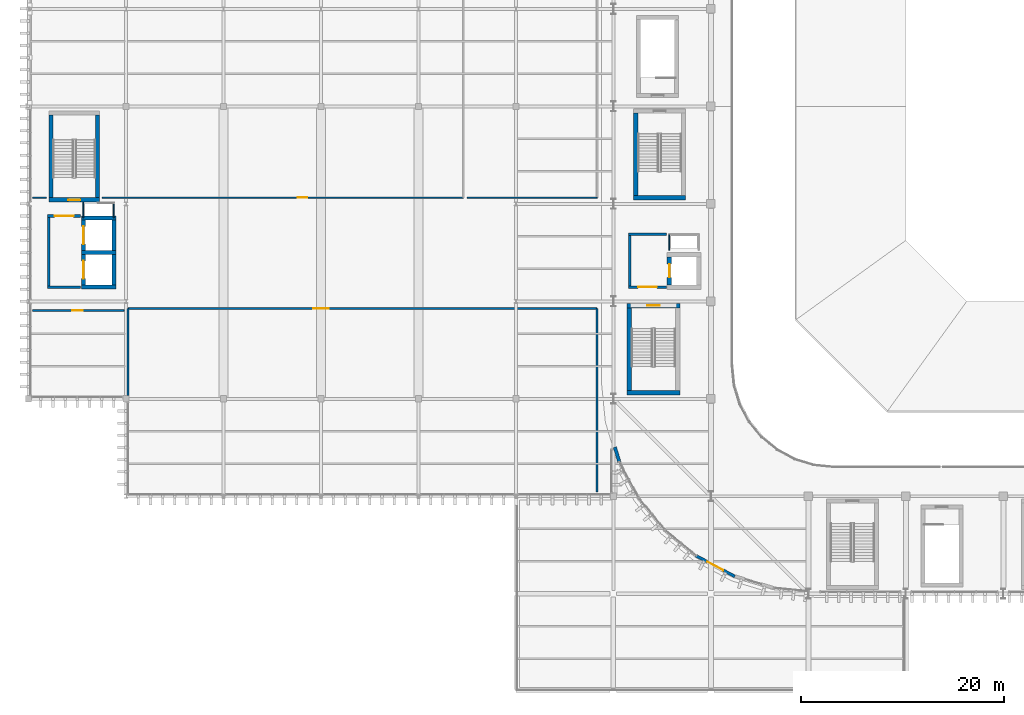
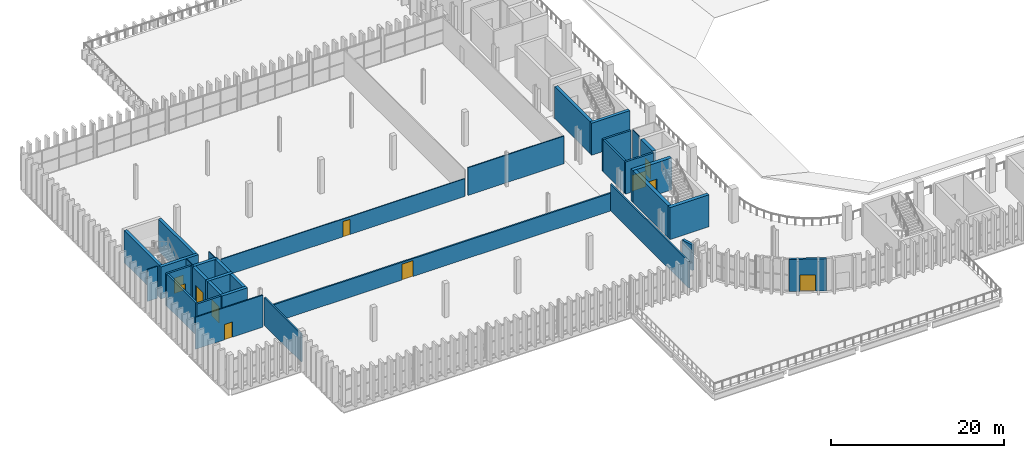
# One storey, part 59 of 99: 34 walls, 11 doors, 11 openings.
"""IFC4 building model written with IfcOpenShell, lengths in metres."""

from ifc_helpers import new_model, si_unit, direction, frame, frame_2d, origin, place, context, subcontext, project, spatial, rectangle, extrude, material, layer, layer_set, type_object, element, fill, save


model = new_model("IFC4")

# Units and contexts
model_context = context("Model", 3, precision=1e-05, world=origin(), true_north=direction((0.0, 1.0)))
body_context = subcontext(model_context, "Body", "Model", "MODEL_VIEW")
ifc_project = project(units=[si_unit("LENGTHUNIT", "METRE"), si_unit("AREAUNIT", "SQUARE_METRE"), si_unit("VOLUMEUNIT", "CUBIC_METRE"), si_unit("PLANEANGLEUNIT", "RADIAN"), si_unit("MASSUNIT", "GRAM", prefix="KILO")], contexts=[model_context])

# Site, building, storey
site_placement = place(None, origin())
site = spatial("IfcSite", under=ifc_project, at=site_placement, CompositionType="ELEMENT")
building_placement = place(site_placement, origin())
building = spatial("IfcBuilding", under=site, at=building_placement, Name="Caelomonte Colonnade Arena", CompositionType="ELEMENT")
storey_placement = place(building_placement, frame((0.0, 0.0, 4.800048828125)))
storey = spatial("IfcBuildingStorey", under=building, at=storey_placement, Name="L01", CompositionType="ELEMENT", Elevation=4.800048828125)

# Wall, opening, door
ifc_material_1 = material(Name="Precast concrete C40/50", Category="concrete")
ifc_layer_1 = layer(ifc_material_1, 0.2900390625)
ifc_layer_set_1 = layer_set([ifc_layer_1], Name="Precast concrete C40/50")
wall_type_1 = type_object("IfcWallType", Name="ENV-WL-EXT29", PredefinedType="SOLIDWALL", material=ifc_layer_set_1)
wall_1_placement = place(storey_placement, frame((65.7119140625, 22.954345703125, 0.0), z_axis=(0.0, 0.0, 1.0), x_axis=(0.881924438709, -0.471390797968, 0.0)))
wall_1 = element("IfcWall", 1, at=wall_1_placement, inside=storey, type_object=wall_type_1, Name="L01 exterior wall EW-L01-0183", PredefinedType="SOLIDWALL", context=body_context, shape_type="SweptSolid", body=[
    extrude(rectangle(XDim=4.356689453125, YDim=0.2900390625, at=frame_2d((2.17822265625, 0.0))), origin(), (0.0, 0.0, 1.0), 4.52001953125),
])
opening_1_placement = place(wall_1_placement, frame((3.078369140625, 0.0, 0.0), z_axis=(0.0, 0.0, 1.0), x_axis=(-1.0, 0.0, 0.0)))
opening_1 = element("IfcOpeningElement", 2, at=opening_1_placement, cuts=wall_1, Name="Opening DT-L01-01", PredefinedType="OPENING", context=body_context, shape_type="SweptSolid", body=[
    extrude(rectangle(XDim=1.800048828125, YDim=2.300048828125, at=frame_2d((0.89990234375, 1.14990234375))), frame((0.0, 0.155029296875, 0.0), z_axis=(0.0, -1.0, 0.0), x_axis=(1.0, 0.0, 0.0)), (0.0, 0.0, 1.0), 0.31005859375),
])
ifc_material_2 = material(Name="Bronze anodised aluminium glazed terrace door", Category="aluminium")
door_type_1 = type_object("IfcDoorType", Name="ENV-DR-TR1", OperationType="DOUBLE_DOOR_SINGLE_SWING", PredefinedType="DOOR", material=ifc_material_2)
door_1_placement = place(opening_1_placement, origin())
door_1 = element("IfcDoor", 3, at=door_1_placement, inside=storey, type_object=door_type_1, Name="L01 South Colonnade Terrace Roof door DT-L01-01", OperationType="DOUBLE_DOOR_SINGLE_SWING", OverallHeight=2.300048828125, OverallWidth=1.800048828125, PredefinedType="DOOR", context=body_context, shape_type="SweptSolid", body=[
    extrude(rectangle(XDim=1.800048828125, YDim=2.300048828125, at=frame_2d((0.89990234375, 1.14990234375))), frame((0.0, 0.02490234375, 0.0), z_axis=(0.0, -1.0, 0.0), x_axis=(1.0, 0.0, 0.0)), (0.0, 0.0, 1.0), 0.050048828125),
])
fill(opening_1, door_1)

# Wall
ifc_layer_2 = layer(ifc_material_1, 0.330078125)
ifc_layer_set_2 = layer_set([ifc_layer_2], Name="Precast concrete C40/50")
wall_type_2 = type_object("IfcWallType", Name="ENV-WL-EXT33", PredefinedType="SOLIDWALL", material=ifc_layer_set_2)
wall_2_placement = place(storey_placement, frame((57.73779296875, 33.642578125, 0.0), z_axis=(0.0, 0.0, 1.0), x_axis=(0.290377527428, -0.956912165021, 0.0)))
element("IfcWall", 4, at=wall_2_placement, inside=storey, type_object=wall_type_2, Name="L01 exterior wall EW-L01-0227", PredefinedType="SOLIDWALL", context=body_context, shape_type="SweptSolid", body=[
    extrude(rectangle(XDim=1.61083984375, YDim=0.330078125, at=frame_2d((0.805419921875, 0.0))), origin(), (0.0, 0.0, 1.0), 3.593017578125),
])

# Wall, opening, door
ifc_material_3 = material(Name="Concrete C40/50", Category="concrete")
ifc_layer_3 = layer(ifc_material_3, 0.260009765625)
ifc_layer_set_3 = layer_set([ifc_layer_3], Name="Concrete C40/50")
wall_type_3 = type_object("IfcWallType", Name="INT-WL-FW26", PredefinedType="SOLIDWALL", material=ifc_layer_set_3)
wall_3_placement = place(storey_placement, frame((59.070068359375, 49.39990234375, 0.0), z_axis=(0.0, 0.0, 1.0), x_axis=(1.0, 0.0, 0.0)))
wall_3 = element("IfcWall", 5, at=wall_3_placement, inside=storey, type_object=wall_type_3, Name="FW-C1-LB L01 south enclosure wall", PredefinedType="SOLIDWALL", context=body_context, shape_type="SweptSolid", body=[
    extrude(rectangle(XDim=3.760009765625, YDim=0.260009765625, at=frame_2d((1.8798828125, 0.0))), origin(), (0.0, 0.0, 1.0), 4.52001953125),
])
opening_2_placement = place(wall_3_placement, frame((2.80517578125, 0.0, 0.0), z_axis=(0.0, 0.0, 1.0), x_axis=(-1.0, 0.0, 0.0)))
opening_2 = element("IfcOpeningElement", 6, at=opening_2_placement, cuts=wall_3, Name="Opening FD-2", PredefinedType="OPENING", context=body_context, shape_type="SweptSolid", body=[
    extrude(rectangle(XDim=1.85009765625, YDim=2.25, at=frame_2d((0.925048828125, 1.125))), frame((0.0, 0.139892578125, 0.0), z_axis=(0.0, -1.0, 0.0), x_axis=(1.0, 0.0, 0.0)), (0.0, 0.0, 1.0), 0.280029296875),
])
ifc_material_4 = material(Name="Fire-rated double steel door", Category="steel")
door_type_2 = type_object("IfcDoorType", Name="INT-DR-FD90B", OperationType="DOUBLE_DOOR_SINGLE_SWING", PredefinedType="DOOR", material=ifc_material_4)
door_2_placement = place(opening_2_placement, origin())
door_2 = element("IfcDoor", 7, at=door_2_placement, inside=storey, type_object=door_type_2, Name="Core C1 L01 lobby fire door", OperationType="DOUBLE_DOOR_SINGLE_SWING", OverallHeight=2.25, OverallWidth=1.85009765625, PredefinedType="DOOR", context=body_context, shape_type="SweptSolid", body=[
    extrude(rectangle(XDim=1.85009765625, YDim=2.25, at=frame_2d((0.925048828125, 1.125))), frame((0.0, 0.02490234375, 0.0), z_axis=(0.0, -1.0, 0.0), x_axis=(1.0, 0.0, 0.0)), (0.0, 0.0, 1.0), 0.050048828125),
])
fill(opening_2, door_2)

# Walls
wall_4_placement = place(storey_placement, frame((62.830078125, 54.60009765625, 0.0), z_axis=(0.0, 0.0, 1.0), x_axis=(-1.0, 0.0, 0.0)))
element("IfcWall", 8, at=wall_4_placement, inside=storey, type_object=wall_type_3, Name="FW-C1-LB L01 north enclosure wall", PredefinedType="SOLIDWALL", context=body_context, shape_type="SweptSolid", body=[
    extrude(rectangle(XDim=3.760009765625, YDim=0.260009765625, at=frame_2d((1.8798828125, 0.0))), origin(), (0.0, 0.0, 1.0), 4.52001953125),
])
wall_5_placement = place(storey_placement, frame((59.199951171875, 54.469970703125, 0.0), z_axis=(0.0, 0.0, 1.0), x_axis=(0.0, -1.0, 0.0)))
element("IfcWall", 9, at=wall_5_placement, inside=storey, type_object=wall_type_3, Name="FW-C1-LB L01 west enclosure wall", PredefinedType="SOLIDWALL", context=body_context, shape_type="SweptSolid", body=[
    extrude(rectangle(XDim=4.93994140625, YDim=0.260009765625, at=frame_2d((2.469970703125, 0.0))), origin(), (0.0, 0.0, 1.0), 4.52001953125),
])
wall_6_placement = place(storey_placement, frame((1.8701171875, 49.39990234375, 0.0), z_axis=(0.0, 0.0, 1.0), x_axis=(1.0, 0.0, 0.0)))
element("IfcWall", 10, at=wall_6_placement, inside=storey, type_object=wall_type_3, Name="FW-C8-LB L01 south enclosure wall", PredefinedType="SOLIDWALL", context=body_context, shape_type="SweptSolid", body=[
    extrude(rectangle(XDim=3.259765625, YDim=0.260009765625, at=frame_2d((1.6298828125, 0.0))), origin(), (0.0, 0.0, 1.0), 4.52001953125),
])

# Wall, opening, door
wall_7_placement = place(storey_placement, frame((5.1298828125, 56.39990234375, 0.0), z_axis=(0.0, 0.0, 1.0), x_axis=(-1.0, 0.0, 0.0)))
wall_7 = element("IfcWall", 11, at=wall_7_placement, inside=storey, type_object=wall_type_3, Name="FW-C8-LB L01 north enclosure wall", PredefinedType="SOLIDWALL", context=body_context, shape_type="SweptSolid", body=[
    extrude(rectangle(XDim=3.259765625, YDim=0.260009765625, at=frame_2d((1.6298828125, 0.0))), origin(), (0.0, 0.0, 1.0), 4.52001953125),
])
opening_3_placement = place(wall_7_placement, frame((2.55517578125, 0.0, 0.0), z_axis=(0.0, 0.0, 1.0), x_axis=(-1.0, 0.0, 0.0)))
opening_3 = element("IfcOpeningElement", 12, at=opening_3_placement, cuts=wall_7, Name="Opening FD-2", PredefinedType="OPENING", context=body_context, shape_type="SweptSolid", body=[
    extrude(rectangle(XDim=1.85009765625, YDim=2.25, at=frame_2d((0.925048828125, 1.125))), frame((0.0, 0.139892578125, 0.0), z_axis=(0.0, -1.0, 0.0), x_axis=(1.0, 0.0, 0.0)), (0.0, 0.0, 1.0), 0.280029296875),
])
door_3_placement = place(opening_3_placement, origin())
door_3 = element("IfcDoor", 13, at=door_3_placement, inside=storey, type_object=door_type_2, Name="Core C8 L01 lobby fire door", OperationType="DOUBLE_DOOR_SINGLE_SWING", OverallHeight=2.25, OverallWidth=1.85009765625, PredefinedType="DOOR", context=body_context, shape_type="SweptSolid", body=[
    extrude(rectangle(XDim=1.85009765625, YDim=2.25, at=frame_2d((0.925048828125, 1.125))), frame((0.0, 0.02490234375, 0.0), z_axis=(0.0, -1.0, 0.0), x_axis=(1.0, 0.0, 0.0)), (0.0, 0.0, 1.0), 0.050048828125),
])
fill(opening_3, door_3)

# Walls
wall_8_placement = place(storey_placement, frame((2.0, 56.27001953125, 0.0), z_axis=(0.0, 0.0, 1.0), x_axis=(0.0, -1.0, 0.0)))
element("IfcWall", 14, at=wall_8_placement, inside=storey, type_object=wall_type_3, Name="FW-C8-LB L01 west enclosure wall", PredefinedType="SOLIDWALL", context=body_context, shape_type="SweptSolid", body=[
    extrude(rectangle(XDim=6.739990234375, YDim=0.260009765625, at=frame_2d((3.3701171875, 0.0))), origin(), (0.0, 0.0, 1.0), 4.52001953125),
])
ifc_material_5 = material(Name="Service shaft lining partition")
ifc_layer_4 = layer(ifc_material_5, 0.10009765625)
ifc_layer_set_4 = layer_set([ifc_layer_4], Name="Service shaft lining partition")
wall_type_4 = type_object("IfcWallType", Name="INT-WL-PT10", PredefinedType="PARTITIONING", material=ifc_layer_set_4)
for number, where, z_axis, x_axis, name in (
    (15, (63.10009765625, 54.550048828125, 0.0), (0.0, 0.0, 1.0), (0.0, -1.0, 0.0), "FW-C1-RS L01 west enclosure wall"),
    (16, (5.39990234375, 57.75, 0.0), (0.0, 0.0, 1.0), (0.0, -1.0, 0.0), "FW-C8-RS L01 west enclosure wall"),
    (17, (8.39990234375, 56.25, 0.0), (0.0, 0.0, 1.0), (0.0, 1.0, 0.0), "FW-C8-RS L01 east enclosure wall"),
):
    element("IfcWall", number, at=place(storey_placement, frame(where, z_axis=z_axis, x_axis=x_axis)), inside=storey, type_object=wall_type_4, Name=name, PredefinedType="PARTITIONING", context=body_context, shape_type="SweptSolid", body=[
        extrude(rectangle(XDim=1.5, YDim=0.10009765625, at=frame_2d((0.75, 0.0))), origin(), (0.0, 0.0, 1.0), 4.52001953125),
    ])
ifc_material_6 = material(Name="Office gypsum stud partition")
ifc_layer_5 = layer(ifc_material_6, 0.1201171875)
ifc_layer_set_5 = layer_set([ifc_layer_5], Name="Office gypsum stud partition")
wall_type_5 = type_object("IfcWallType", Name="INT-WL-PT12", PredefinedType="PARTITIONING", material=ifc_layer_set_5)
wall_9_placement = place(storey_placement, frame((1.75, 58.199951171875, 0.0), z_axis=(0.0, 0.0, 1.0), x_axis=(-1.0, 0.0, 0.0)))
element("IfcWall", 18, at=wall_9_placement, inside=storey, type_object=wall_type_5, Name="L01 Youth Sports Academy Studio partition 138", PredefinedType="PARTITIONING", context=body_context, shape_type="SweptSolid", body=[
    extrude(rectangle(XDim=1.35009765625, YDim=0.1201171875, at=frame_2d((0.675048828125, 0.0))), origin(), (0.0, 0.0, 1.0), 4.52001953125),
])

# Wall, opening, door
wall_10_placement = place(storey_placement, frame((42.800048828125, 58.199951171875, 0.0), z_axis=(0.0, 0.0, 1.0), x_axis=(-1.0, 0.0, 0.0)))
wall_10 = element("IfcWall", 19, at=wall_10_placement, inside=storey, type_object=wall_type_5, Name="L01 Youth Sports Academy Studio partition 140", PredefinedType="PARTITIONING", context=body_context, shape_type="SweptSolid", body=[
    extrude(rectangle(XDim=35.550048828125, YDim=0.1201171875, at=frame_2d((17.77490234375, 0.0))), origin(), (0.0, 0.0, 1.0), 2.52001953125),
])
opening_4_placement = place(wall_10_placement, frame((15.365478515625, 0.0, 0.0), z_axis=(0.0, 0.0, 1.0), x_axis=(1.0, 0.0, 0.0)))
opening_4 = element("IfcOpeningElement", 20, at=opening_4_placement, cuts=wall_10, Name="Opening D-L01-046", PredefinedType="OPENING", context=body_context, shape_type="SweptSolid", body=[
    extrude(rectangle(XDim=0.949951171875, YDim=2.14990234375, at=frame_2d((0.47509765625, 1.074951171875))), frame((0.0, 0.070068359375, 0.0), z_axis=(0.0, -1.0, 0.0), x_axis=(1.0, 0.0, 0.0)), (0.0, 0.0, 1.0), 0.14013671875),
])
ifc_material_7 = material(Name="Solid-core timber office door", Category="wood")
door_type_3 = type_object("IfcDoorType", Name="INT-DR-OFF", OperationType="NOTDEFINED", PredefinedType="DOOR", material=ifc_material_7)
door_4_placement = place(opening_4_placement, origin())
door_4 = element("IfcDoor", 21, at=door_4_placement, inside=storey, type_object=door_type_3, Name="L01 Youth Sports Academy Studio door D-L01-046", OperationType="SINGLE_SWING_RIGHT", OverallHeight=2.14990234375, OverallWidth=0.949951171875, PredefinedType="DOOR", context=body_context, shape_type="SweptSolid", body=[
    extrude(rectangle(XDim=0.949951171875, YDim=2.14990234375, at=frame_2d((0.47509765625, 1.074951171875))), frame((0.0, 0.02490234375, 0.0), z_axis=(0.0, -1.0, 0.0), x_axis=(1.0, 0.0, 0.0)), (0.0, 0.0, 1.0), 0.050048828125),
])
fill(opening_4, door_4)

# Wall
ifc_material_8 = material(Name="Suite demising stud partition")
ifc_layer_6 = layer(ifc_material_8, 0.139892578125)
ifc_layer_set_6 = layer_set([ifc_layer_6], Name="Suite demising stud partition")
wall_type_6 = type_object("IfcWallType", Name="INT-WL-PT14", PredefinedType="PARTITIONING", material=ifc_layer_set_6)
wall_11_placement = place(storey_placement, frame((56.0, 58.199951171875, 0.0), z_axis=(0.0, 0.0, 1.0), x_axis=(-1.0, 0.0, 0.0)))
element("IfcWall", 22, at=wall_11_placement, inside=storey, type_object=wall_type_6, Name="L01 Coaching Office Suite partition 142", PredefinedType="PARTITIONING", context=body_context, shape_type="SweptSolid", body=[
    extrude(rectangle(XDim=12.800048828125, YDim=0.139892578125, at=frame_2d((6.39990234375, 0.0))), origin(), (0.0, 0.0, 1.0), 3.912841796875),
])

# Wall, opening, door
ifc_material_9 = material(Name="Moisture-resistant WC partition")
ifc_layer_7 = layer(ifc_material_9, 0.159912109375)
ifc_layer_set_7 = layer_set([ifc_layer_7], Name="Moisture-resistant WC partition")
wall_type_7 = type_object("IfcWallType", Name="INT-WL-PT16", PredefinedType="PARTITIONING", material=ifc_layer_set_7)
wall_12_placement = place(storey_placement, frame((0.39990234375, 47.10009765625, 0.0), z_axis=(0.0, 0.0, 1.0), x_axis=(1.0, 0.0, 0.0)))
wall_12 = element("IfcWall", 23, at=wall_12_placement, inside=storey, type_object=wall_type_7, Name="L01 Academy Accessible WC partition 143", PredefinedType="PARTITIONING", context=body_context, shape_type="SweptSolid", body=[
    extrude(rectangle(XDim=9.0, YDim=0.159912109375, at=frame_2d((4.5, 0.0))), origin(), (0.0, 0.0, 1.0), 4.52001953125),
])
opening_5_placement = place(wall_12_placement, frame((3.889892578125, 0.0, 0.0), z_axis=(0.0, 0.0, 1.0), x_axis=(1.0, 0.0, 0.0)))
opening_5 = element("IfcOpeningElement", 24, at=opening_5_placement, cuts=wall_12, Name="Opening D-L01-048", PredefinedType="OPENING", context=body_context, shape_type="SweptSolid", body=[
    extrude(rectangle(XDim=1.02001953125, YDim=2.14990234375, at=frame_2d((0.510009765625, 1.074951171875))), frame((0.0, 0.08984375, 0.0), z_axis=(0.0, -1.0, 0.0), x_axis=(1.0, 0.0, 0.0)), (0.0, 0.0, 1.0), 0.179931640625),
])
ifc_material_10 = material(Name="Accessible WC outward-swing door")
door_type_4 = type_object("IfcDoorType", Name="INT-DR-AWC", OperationType="NOTDEFINED", PredefinedType="DOOR", material=ifc_material_10)
door_5_placement = place(opening_5_placement, origin())
door_5 = element("IfcDoor", 25, at=door_5_placement, inside=storey, type_object=door_type_4, Name="L01 Academy Accessible WC door D-L01-048", OperationType="SINGLE_SWING_RIGHT", OverallHeight=2.14990234375, OverallWidth=1.02001953125, PredefinedType="DOOR", context=body_context, shape_type="SweptSolid", body=[
    extrude(rectangle(XDim=1.02001953125, YDim=2.14990234375, at=frame_2d((0.510009765625, 1.074951171875))), frame((0.0, 0.02490234375, 0.0), z_axis=(0.0, -1.0, 0.0), x_axis=(1.0, 0.0, 0.0)), (0.0, 0.0, 1.0), 0.050048828125),
])
fill(opening_5, door_5)

# Wall
ifc_material_11 = material(Name="Fire-rated gypsum stud partition")
ifc_layer_8 = layer(ifc_material_11, 0.199951171875)
ifc_layer_set_8 = layer_set([ifc_layer_8], Name="Fire-rated gypsum stud partition")
wall_type_8 = type_object("IfcWallType", Name="INT-WL-PT20", PredefinedType="PARTITIONING", material=ifc_layer_set_8)
wall_13_placement = place(storey_placement, frame((9.800048828125, 38.735107421875, 0.0), z_axis=(0.0, 0.0, 1.0), x_axis=(0.0, 1.0, 0.0)))
element("IfcWall", 26, at=wall_13_placement, inside=storey, type_object=wall_type_8, Name="L01 Community Fitness Hall partition 135", PredefinedType="PARTITIONING", context=body_context, shape_type="SweptSolid", body=[
    extrude(rectangle(XDim=8.544921875, YDim=0.199951171875, at=frame_2d((4.2724609375, 0.0))), origin(), (0.0, 0.0, 1.0), 3.912841796875),
])

# Wall, opening, door
wall_14_placement = place(storey_placement, frame((9.800048828125, 47.280029296875, 0.0), z_axis=(0.0, 0.0, 1.0), x_axis=(1.0, 0.0, 0.0)))
wall_14 = element("IfcWall", 27, at=wall_14_placement, inside=storey, type_object=wall_type_8, Name="L01 Community Fitness Hall partition 136", PredefinedType="PARTITIONING", context=body_context, shape_type="SweptSolid", body=[
    extrude(rectangle(XDim=46.199951171875, YDim=0.199951171875, at=frame_2d((23.10009765625, 0.0))), origin(), (0.0, 0.0, 1.0), 2.52001953125),
])
opening_6_placement = place(wall_14_placement, frame((18.25, 0.0, 0.0), z_axis=(0.0, 0.0, 1.0), x_axis=(1.0, 0.0, 0.0)))
opening_6 = element("IfcOpeningElement", 28, at=opening_6_placement, cuts=wall_14, Name="Opening D-L01-045", PredefinedType="OPENING", context=body_context, shape_type="SweptSolid", body=[
    extrude(rectangle(XDim=1.5, YDim=2.25, at=frame_2d((0.75, 1.125))), frame((0.0, 0.10986328125, 0.0), z_axis=(0.0, -1.0, 0.0), x_axis=(1.0, 0.0, 0.0)), (0.0, 0.0, 1.0), 0.219970703125),
])
ifc_material_12 = material(Name="Hardwood double club lounge door", Category="wood")
door_type_5 = type_object("IfcDoorType", Name="INT-DR-SU2", OperationType="DOUBLE_DOOR_SINGLE_SWING", PredefinedType="DOOR", material=ifc_material_12)
door_6_placement = place(opening_6_placement, origin())
door_6 = element("IfcDoor", 29, at=door_6_placement, inside=storey, type_object=door_type_5, Name="L01 Community Fitness Hall door D-L01-045", OperationType="DOUBLE_DOOR_SINGLE_SWING", OverallHeight=2.25, OverallWidth=1.5, PredefinedType="DOOR", context=body_context, shape_type="SweptSolid", body=[
    extrude(rectangle(XDim=1.5, YDim=2.25, at=frame_2d((0.75, 1.125))), frame((0.0, 0.02490234375, 0.0), z_axis=(0.0, -1.0, 0.0), x_axis=(1.0, 0.0, 0.0)), (0.0, 0.0, 1.0), 0.050048828125),
])
fill(opening_6, door_6)

# Wall
wall_15_placement = place(storey_placement, frame((56.0, 47.280029296875, 0.0), z_axis=(0.0, 0.0, 1.0), x_axis=(0.0, -1.0, 0.0)))
element("IfcWall", 30, at=wall_15_placement, inside=storey, type_object=wall_type_8, Name="L01 Community Fitness Hall partition 137", PredefinedType="PARTITIONING", context=body_context, shape_type="SweptSolid", body=[
    extrude(rectangle(XDim=18.080078125, YDim=0.199951171875, at=frame_2d((9.0400390625, 0.0))), origin(), (0.0, 0.0, 1.0), 3.758056640625),
])

# Wall, opening, door
ifc_material_13 = material(Name="Concrete C50/60", Category="concrete")
ifc_layer_9 = layer(ifc_material_13, 0.39990234375)
ifc_layer_set_9 = layer_set([ifc_layer_9], Name="Concrete C50/60")
wall_type_9 = type_object("IfcWallType", Name="INT-WL-SH40", PredefinedType="SHEAR", material=ifc_layer_set_9)
wall_16_placement = place(storey_placement, frame((2.0, 58.0, 0.0), z_axis=(0.0, 0.0, 1.0), x_axis=(1.0, 0.0, 0.0)))
wall_16 = element("IfcWall", 31, at=wall_16_placement, inside=storey, type_object=wall_type_9, Name="CW-C8-ST L01 south enclosure wall", PredefinedType="SHEAR", context=body_context, shape_type="SweptSolid", body=[
    extrude(rectangle(XDim=5.0, YDim=0.39990234375, at=frame_2d((2.5, 0.0))), origin(), (0.0, 0.0, 1.0), 4.52001953125),
])
opening_7_placement = place(wall_16_placement, frame((3.099853515625, 0.0, 0.0), z_axis=(0.0, 0.0, 1.0), x_axis=(-1.0, 0.0, 0.0)))
opening_7 = element("IfcOpeningElement", 32, at=opening_7_placement, cuts=wall_16, Name="Opening FD-1", PredefinedType="OPENING", context=body_context, shape_type="SweptSolid", body=[
    extrude(rectangle(XDim=1.199951171875, YDim=2.199951171875, at=frame_2d((0.60009765625, 1.10009765625))), frame((0.0, 0.2099609375, 0.0), z_axis=(0.0, -1.0, 0.0), x_axis=(1.0, 0.0, 0.0)), (0.0, 0.0, 1.0), 0.419921875),
])
ifc_material_14 = material(Name="Fire-rated steel door", Category="steel")
door_type_6 = type_object("IfcDoorType", Name="INT-DR-FD90A", OperationType="NOTDEFINED", PredefinedType="DOOR", material=ifc_material_14)
door_7_placement = place(opening_7_placement, origin())
door_7 = element("IfcDoor", 33, at=door_7_placement, inside=storey, type_object=door_type_6, Name="Core C8 L01 exit stair fire door", OperationType="SINGLE_SWING_RIGHT", OverallHeight=2.199951171875, OverallWidth=1.199951171875, PredefinedType="DOOR", context=body_context, shape_type="SweptSolid", body=[
    extrude(rectangle(XDim=1.199951171875, YDim=2.199951171875, at=frame_2d((0.60009765625, 1.10009765625))), frame((0.0, 0.02490234375, 0.0), z_axis=(0.0, -1.0, 0.0), x_axis=(1.0, 0.0, 0.0)), (0.0, 0.0, 1.0), 0.050048828125),
])
fill(opening_7, door_7)

# Walls
for number, where, z_axis, x_axis, name in (
    (34, (2.199951171875, 66.35009765625, 0.0), (0.0, 0.0, 1.0), (0.0, -1.0, 0.0), "CW-C8-ST L01 west enclosure wall"),
    (35, (6.800048828125, 58.199951171875, 0.0), (0.0, 0.0, 1.0), (0.0, 1.0, 0.0), "CW-C8-ST L01 east enclosure wall"),
):
    element("IfcWall", number, at=place(storey_placement, frame(where, z_axis=z_axis, x_axis=x_axis)), inside=storey, type_object=wall_type_9, Name=name, PredefinedType="SHEAR", context=body_context, shape_type="SweptSolid", body=[
        extrude(rectangle(XDim=8.150146484375, YDim=0.39990234375, at=frame_2d((4.0751953125, 0.0))), origin(), (0.0, 0.0, 1.0), 4.52001953125),
    ])
for number, where, z_axis, x_axis, name in (
    (36, (5.199951171875, 49.39990234375, 0.0), (0.0, 0.0, 1.0), (1.0, 0.0, 0.0), "CW-C8-LF L01 south enclosure wall"),
    (37, (8.60009765625, 52.800048828125, 0.0), (0.0, 0.0, 1.0), (-1.0, 0.0, 0.0), "CW-C8-LF L01 north enclosure wall"),
):
    element("IfcWall", number, at=place(storey_placement, frame(where, z_axis=z_axis, x_axis=x_axis)), inside=storey, type_object=wall_type_9, Name=name, PredefinedType="SHEAR", context=body_context, shape_type="SweptSolid", body=[
        extrude(rectangle(XDim=3.400146484375, YDim=0.39990234375, at=frame_2d((1.7001953125, 0.0))), origin(), (0.0, 0.0, 1.0), 4.52001953125),
    ])

# Wall, opening, door
wall_17_placement = place(storey_placement, frame((5.39990234375, 52.60009765625, 0.0), z_axis=(0.0, 0.0, 1.0), x_axis=(0.0, -1.0, 0.0)))
wall_17 = element("IfcWall", 38, at=wall_17_placement, inside=storey, type_object=wall_type_9, Name="CW-C8-LF L01 west enclosure wall", PredefinedType="SHEAR", context=body_context, shape_type="SweptSolid", body=[
    extrude(rectangle(XDim=3.0, YDim=0.39990234375, at=frame_2d((1.5, 0.0))), origin(), (0.0, 0.0, 1.0), 4.52001953125),
])
opening_8_placement = place(wall_17_placement, frame((0.625, 0.0, 0.0), z_axis=(0.0, 0.0, 1.0), x_axis=(1.0, 0.0, 0.0)))
opening_8 = element("IfcOpeningElement", 39, at=opening_8_placement, cuts=wall_17, Name="Opening LD-LF-07-L01", PredefinedType="OPENING", context=body_context, shape_type="SweptSolid", body=[
    extrude(rectangle(XDim=1.75, YDim=2.35009765625, at=frame_2d((0.875, 1.175048828125))), frame((0.0, 0.2099609375, 0.0), z_axis=(0.0, -1.0, 0.0), x_axis=(1.0, 0.0, 0.0)), (0.0, 0.0, 1.0), 0.419921875),
])
ifc_material_15 = material(Name="Goods lift sliding landing door")
door_type_7 = type_object("IfcDoorType", Name="INT-DR-LD3", OperationType="SLIDING_TO_LEFT", PredefinedType="DOOR", material=ifc_material_15)
door_8_placement = place(opening_8_placement, origin())
door_8 = element("IfcDoor", 40, at=door_8_placement, inside=storey, type_object=door_type_7, Name="Lift LF-07 L01 sliding landing door", OperationType="SLIDING_TO_LEFT", OverallHeight=2.35009765625, OverallWidth=1.75, PredefinedType="DOOR", context=body_context, shape_type="SweptSolid", body=[
    extrude(rectangle(XDim=1.75, YDim=2.35009765625, at=frame_2d((0.875, 1.175048828125))), frame((0.0, 0.02490234375, 0.0), z_axis=(0.0, -1.0, 0.0), x_axis=(1.0, 0.0, 0.0)), (0.0, 0.0, 1.0), 0.050048828125),
])
fill(opening_8, door_8)

# Walls
wall_18_placement = place(storey_placement, frame((8.39990234375, 49.60009765625, 0.0), z_axis=(0.0, 0.0, 1.0), x_axis=(0.0, 1.0, 0.0)))
element("IfcWall", 41, at=wall_18_placement, inside=storey, type_object=wall_type_9, Name="CW-C8-LF L01 east enclosure wall", PredefinedType="SHEAR", context=body_context, shape_type="SweptSolid", body=[
    extrude(rectangle(XDim=3.0, YDim=0.39990234375, at=frame_2d((1.5, 0.0))), origin(), (0.0, 0.0, 1.0), 4.52001953125),
])
wall_19_placement = place(storey_placement, frame((8.60009765625, 56.199951171875, 0.0), z_axis=(0.0, 0.0, 1.0), x_axis=(-1.0, 0.0, 0.0)))
element("IfcWall", 42, at=wall_19_placement, inside=storey, type_object=wall_type_9, Name="CW-C8-LF2 L01 north enclosure wall", PredefinedType="SHEAR", context=body_context, shape_type="SweptSolid", body=[
    extrude(rectangle(XDim=3.400146484375, YDim=0.39990234375, at=frame_2d((1.7001953125, 0.0))), origin(), (0.0, 0.0, 1.0), 4.52001953125),
])

# Wall, opening, door
wall_20_placement = place(storey_placement, frame((5.39990234375, 56.0, 0.0), z_axis=(0.0, 0.0, 1.0), x_axis=(0.0, -1.0, 0.0)))
wall_20 = element("IfcWall", 43, at=wall_20_placement, inside=storey, type_object=wall_type_9, Name="CW-C8-LF2 L01 west enclosure wall", PredefinedType="SHEAR", context=body_context, shape_type="SweptSolid", body=[
    extrude(rectangle(XDim=3.0, YDim=0.39990234375, at=frame_2d((1.5, 0.0))), origin(), (0.0, 0.0, 1.0), 4.52001953125),
])
opening_9_placement = place(wall_20_placement, frame((0.625, 0.0, 0.0), z_axis=(0.0, 0.0, 1.0), x_axis=(1.0, 0.0, 0.0)))
opening_9 = element("IfcOpeningElement", 44, at=opening_9_placement, cuts=wall_20, Name="Opening LD-LF-08-L01", PredefinedType="OPENING", context=body_context, shape_type="SweptSolid", body=[
    extrude(rectangle(XDim=1.75, YDim=2.35009765625, at=frame_2d((0.875, 1.175048828125))), frame((0.0, 0.2099609375, 0.0), z_axis=(0.0, -1.0, 0.0), x_axis=(1.0, 0.0, 0.0)), (0.0, 0.0, 1.0), 0.419921875),
])
door_9_placement = place(opening_9_placement, origin())
door_9 = element("IfcDoor", 45, at=door_9_placement, inside=storey, type_object=door_type_7, Name="Lift LF-08 L01 sliding landing door", OperationType="SLIDING_TO_LEFT", OverallHeight=2.35009765625, OverallWidth=1.75, PredefinedType="DOOR", context=body_context, shape_type="SweptSolid", body=[
    extrude(rectangle(XDim=1.75, YDim=2.35009765625, at=frame_2d((0.875, 1.175048828125))), frame((0.0, 0.02490234375, 0.0), z_axis=(0.0, -1.0, 0.0), x_axis=(1.0, 0.0, 0.0)), (0.0, 0.0, 1.0), 0.050048828125),
])
fill(opening_9, door_9)

# Walls
wall_21_placement = place(storey_placement, frame((8.39990234375, 53.0, 0.0), z_axis=(0.0, 0.0, 1.0), x_axis=(0.0, 1.0, 0.0)))
element("IfcWall", 46, at=wall_21_placement, inside=storey, type_object=wall_type_9, Name="CW-C8-LF2 L01 east enclosure wall", PredefinedType="SHEAR", context=body_context, shape_type="SweptSolid", body=[
    extrude(rectangle(XDim=3.0, YDim=0.39990234375, at=frame_2d((1.5, 0.0))), origin(), (0.0, 0.0, 1.0), 4.52001953125),
])
wall_22_placement = place(storey_placement, frame((59.60009765625, 58.199951171875, 0.0), z_axis=(0.0, 0.0, 1.0), x_axis=(1.0, 0.0, 0.0)))
element("IfcWall", 47, at=wall_22_placement, inside=storey, type_object=wall_type_9, Name="CW-ST-09 L01 south enclosure wall", PredefinedType="SHEAR", context=body_context, shape_type="SweptSolid", body=[
    extrude(rectangle(XDim=5.099853515625, YDim=0.39990234375, at=frame_2d((2.5498046875, 0.0))), origin(), (0.0, 0.0, 1.0), 4.52001953125),
])
wall_23_placement = place(storey_placement, frame((59.800048828125, 66.550048828125, 0.0), z_axis=(0.0, 0.0, 1.0), x_axis=(0.0, -1.0, 0.0)))
element("IfcWall", 48, at=wall_23_placement, inside=storey, type_object=wall_type_9, Name="CW-ST-09 L01 west enclosure wall", PredefinedType="SHEAR", context=body_context, shape_type="SweptSolid", body=[
    extrude(rectangle(XDim=8.150146484375, YDim=0.39990234375, at=frame_2d((4.0751953125, 0.0))), origin(), (0.0, 0.0, 1.0), 4.52001953125),
])
ifc_layer_10 = layer(ifc_material_13, 0.449951171875)
ifc_layer_set_10 = layer_set([ifc_layer_10], Name="Concrete C50/60")
wall_type_10 = type_object("IfcWallType", Name="INT-WL-SH45", PredefinedType="SHEAR", material=ifc_layer_set_10)
wall_24_placement = place(storey_placement, frame((58.949951171875, 38.97509765625, 0.0), z_axis=(0.0, 0.0, 1.0), x_axis=(1.0, 0.0, 0.0)))
element("IfcWall", 49, at=wall_24_placement, inside=storey, type_object=wall_type_10, Name="CW-C1-ST L01 south enclosure wall", PredefinedType="SHEAR", context=body_context, shape_type="SweptSolid", body=[
    extrude(rectangle(XDim=5.199951171875, YDim=0.449951171875, at=frame_2d((2.60009765625, 0.0))), origin(), (0.0, 0.0, 1.0), 4.52001953125),
])

# Wall, opening, door
wall_25_placement = place(storey_placement, frame((64.14990234375, 47.574951171875, 0.0), z_axis=(0.0, 0.0, 1.0), x_axis=(-1.0, 0.0, 0.0)))
wall_25 = element("IfcWall", 50, at=wall_25_placement, inside=storey, type_object=wall_type_10, Name="CW-C1-ST L01 north enclosure wall", PredefinedType="SHEAR", context=body_context, shape_type="SweptSolid", body=[
    extrude(rectangle(XDim=5.199951171875, YDim=0.449951171875, at=frame_2d((2.60009765625, 0.0))), origin(), (0.0, 0.0, 1.0), 4.52001953125),
])
opening_10_placement = place(wall_25_placement, frame((3.199951171875, 0.0, 0.0), z_axis=(0.0, 0.0, 1.0), x_axis=(-1.0, 0.0, 0.0)))
opening_10 = element("IfcOpeningElement", 51, at=opening_10_placement, cuts=wall_25, Name="Opening FD-1", PredefinedType="OPENING", context=body_context, shape_type="SweptSolid", body=[
    extrude(rectangle(XDim=1.199951171875, YDim=2.199951171875, at=frame_2d((0.60009765625, 1.10009765625))), frame((0.0, 0.23486328125, 0.0), z_axis=(0.0, -1.0, 0.0), x_axis=(1.0, 0.0, 0.0)), (0.0, 0.0, 1.0), 0.469970703125),
])
door_10_placement = place(opening_10_placement, origin())
door_10 = element("IfcDoor", 52, at=door_10_placement, inside=storey, type_object=door_type_6, Name="Core C1 L01 exit stair fire door", OperationType="SINGLE_SWING_RIGHT", OverallHeight=2.199951171875, OverallWidth=1.199951171875, PredefinedType="DOOR", context=body_context, shape_type="SweptSolid", body=[
    extrude(rectangle(XDim=1.199951171875, YDim=2.199951171875, at=frame_2d((0.60009765625, 1.10009765625))), frame((0.0, 0.02490234375, 0.0), z_axis=(0.0, -1.0, 0.0), x_axis=(1.0, 0.0, 0.0)), (0.0, 0.0, 1.0), 0.050048828125),
])
fill(opening_10, door_10)

# Wall
wall_26_placement = place(storey_placement, frame((59.175048828125, 47.35009765625, 0.0), z_axis=(0.0, 0.0, 1.0), x_axis=(0.0, -1.0, 0.0)))
element("IfcWall", 53, at=wall_26_placement, inside=storey, type_object=wall_type_10, Name="CW-C1-ST L01 west enclosure wall", PredefinedType="SHEAR", context=body_context, shape_type="SweptSolid", body=[
    extrude(rectangle(XDim=8.150146484375, YDim=0.449951171875, at=frame_2d((4.0751953125, 0.0))), origin(), (0.0, 0.0, 1.0), 4.52001953125),
])

# Wall, opening, door
wall_27_placement = place(storey_placement, frame((63.10009765625, 52.375, 0.0), z_axis=(0.0, 0.0, 1.0), x_axis=(0.0, -1.0, 0.0)))
wall_27 = element("IfcWall", 54, at=wall_27_placement, inside=storey, type_object=wall_type_10, Name="CW-C1-LF L01 west enclosure wall", PredefinedType="SHEAR", context=body_context, shape_type="SweptSolid", body=[
    extrude(rectangle(XDim=2.75, YDim=0.449951171875, at=frame_2d((1.375, 0.0))), origin(), (0.0, 0.0, 1.0), 4.52001953125),
])
opening_11_placement = place(wall_27_placement, frame((0.72509765625, 0.0, 0.0), z_axis=(0.0, 0.0, 1.0), x_axis=(1.0, 0.0, 0.0)))
opening_11 = element("IfcOpeningElement", 55, at=opening_11_placement, cuts=wall_27, Name="Opening LD-FL-01-L01", PredefinedType="OPENING", context=body_context, shape_type="SweptSolid", body=[
    extrude(rectangle(XDim=1.300048828125, YDim=2.25, at=frame_2d((0.64990234375, 1.125))), frame((0.0, 0.23486328125, 0.0), z_axis=(0.0, -1.0, 0.0), x_axis=(1.0, 0.0, 0.0)), (0.0, 0.0, 1.0), 0.469970703125),
])
ifc_material_16 = material(Name="Firefighting lift landing door")
door_type_8 = type_object("IfcDoorType", Name="INT-DR-LD2", OperationType="SLIDING_TO_RIGHT", PredefinedType="DOOR", material=ifc_material_16)
door_11_placement = place(opening_11_placement, origin())
door_11 = element("IfcDoor", 56, at=door_11_placement, inside=storey, type_object=door_type_8, Name="Lift FL-01 L01 sliding landing door", OperationType="SLIDING_TO_RIGHT", OverallHeight=2.25, OverallWidth=1.300048828125, PredefinedType="DOOR", context=body_context, shape_type="SweptSolid", body=[
    extrude(rectangle(XDim=1.300048828125, YDim=2.25, at=frame_2d((0.64990234375, 1.125))), frame((0.0, 0.02490234375, 0.0), z_axis=(0.0, -1.0, 0.0), x_axis=(1.0, 0.0, 0.0)), (0.0, 0.0, 1.0), 0.050048828125),
])
fill(opening_11, door_11)

save(model, "model.ifc")
